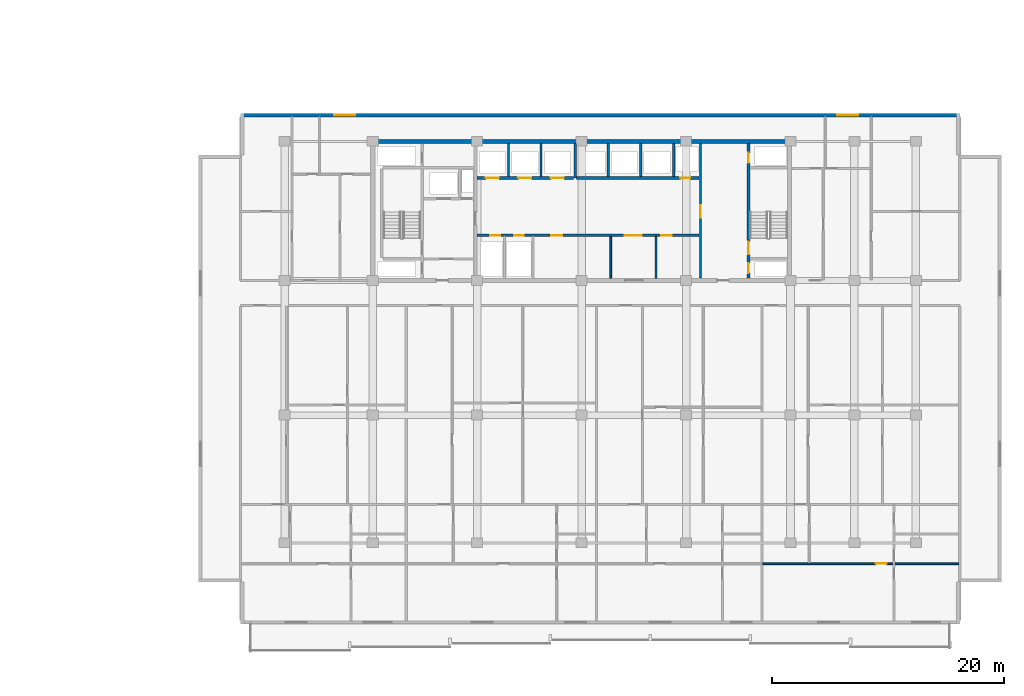
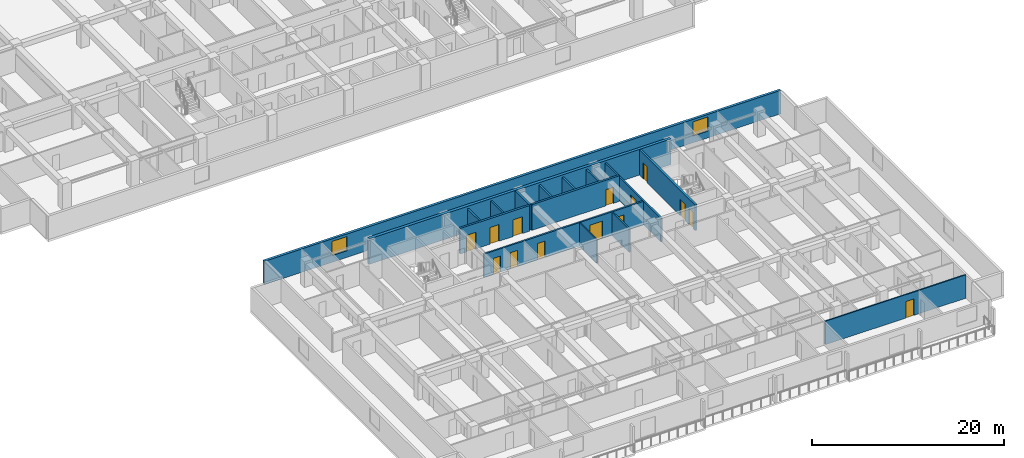
# One storey, part 7 of 23: 16 walls, 14 doors, 2 windows, 16 openings.
"""IFC4 building model written with IfcOpenShell, lengths in metres."""

from ifc_helpers import new_model, si_unit, direction, frame, frame_2d, origin, place, context, subcontext, project, spatial, rectangle, extrude, material, layer, layer_set, type_object, element, fill, save


model = new_model("IFC4")

# Units and contexts
model_context = context("Model", 3, precision=1e-05, world=origin(), true_north=direction((0.0, 1.0)))
body_context = subcontext(model_context, "Body", "Model", "MODEL_VIEW")
ifc_project = project(units=[si_unit("LENGTHUNIT", "METRE"), si_unit("AREAUNIT", "SQUARE_METRE"), si_unit("VOLUMEUNIT", "CUBIC_METRE"), si_unit("PLANEANGLEUNIT", "RADIAN"), si_unit("MASSUNIT", "GRAM", prefix="KILO")], contexts=[model_context])

# Site, building, storey
site_placement = place(None, origin())
site = spatial("IfcSite", under=ifc_project, at=site_placement, CompositionType="ELEMENT")
building_placement = place(site_placement, origin())
building = spatial("IfcBuilding", under=site, at=building_placement, Name="Korimba Cascade Residences", CompositionType="ELEMENT")
storey_placement = place(building_placement, frame((0.0, 0.0, 33.75)))
storey = spatial("IfcBuildingStorey", under=building, at=storey_placement, Name="L08", CompositionType="ELEMENT", Elevation=33.75)

# Wall, openings, windows
ifc_material_1 = material(Name="Precast concrete C40/50", Category="concrete")
ifc_layer_1 = layer(ifc_material_1, 0.300048828125)
ifc_layer_set_1 = layer_set([ifc_layer_1], Name="Precast concrete C40/50")
wall_type_1 = type_object("IfcWallType", Name="EW-STONE-300", PredefinedType="STANDARD", material=ifc_layer_set_1)
wall_1_placement = place(storey_placement, frame((132.699951171875, 32.64990234375, 0.0), z_axis=(0.0, 0.0, 1.0), x_axis=(-1.0, 0.0, 0.0)))
wall_1 = element("IfcWall", 1, at=wall_1_placement, inside=storey, type_object=wall_type_1, Name="L08 T2 Perimeter Stone Wall E06", PredefinedType="STANDARD", context=body_context, shape_type="SweptSolid", body=[
    extrude(rectangle(XDim=62.0, YDim=0.300048828125, at=frame_2d((31.0, 0.0))), origin(), (0.0, 0.0, 1.0), 2.969970703125),
])
opening_1_placement = place(wall_1_placement, frame((52.125, 0.0, 0.85009765625)))
opening_1 = element("IfcOpeningElement", 2, at=opening_1_placement, cuts=wall_1, Name="Opening W-02", PredefinedType="OPENING", context=body_context, shape_type="SweptSolid", body=[
    extrude(rectangle(XDim=1.800048828125, YDim=1.800048828125, at=frame_2d((0.89990234375, 0.89990234375))), frame((0.0, 0.16015625, 0.0), z_axis=(0.0, -1.0, 0.0), x_axis=(1.0, 0.0, 0.0)), (0.0, 0.0, 1.0), 0.320068359375),
])
opening_2_placement = place(wall_1_placement, frame((8.77490234375, 0.0, 0.85009765625)))
opening_2 = element("IfcOpeningElement", 3, at=opening_2_placement, cuts=wall_1, Name="Opening W-02", PredefinedType="OPENING", context=body_context, shape_type="SweptSolid", body=[
    extrude(rectangle(XDim=1.800048828125, YDim=1.800048828125, at=frame_2d((0.89990234375, 0.89990234375))), frame((0.0, 0.16015625, 0.0), z_axis=(0.0, -1.0, 0.0), x_axis=(1.0, 0.0, 0.0)), (0.0, 0.0, 1.0), 0.320068359375),
])
ifc_material_2 = material(Name="Double-Glazed Aluminium Window", Category="aluminium")
window_type = type_object("IfcWindowType", Name="WIN-BED-1800", PartitioningType="SINGLE_PANEL", PredefinedType="WINDOW", material=ifc_material_2)
window_1_placement = place(opening_1_placement, origin())
window_1 = element("IfcWindow", 4, at=window_1_placement, inside=storey, type_object=window_type, Name="L08 T2 North Corner Bedroom Window 1", OverallHeight=1.800048828125, OverallWidth=1.800048828125, PartitioningType="SINGLE_PANEL", PredefinedType="WINDOW", context=body_context, shape_type="SweptSolid", body=[
    extrude(rectangle(XDim=1.800048828125, YDim=1.800048828125, at=frame_2d((0.89990234375, 0.89990234375))), frame((0.0, 0.030029296875, 0.0), z_axis=(0.0, -1.0, 0.0), x_axis=(1.0, 0.0, 0.0)), (0.0, 0.0, 1.0), 0.06005859375),
])
fill(opening_1, window_1)
window_2_placement = place(opening_2_placement, origin())
window_2 = element("IfcWindow", 5, at=window_2_placement, inside=storey, type_object=window_type, Name="L08 T2 North Corner Bedroom Window 2", OverallHeight=1.800048828125, OverallWidth=1.800048828125, PartitioningType="SINGLE_PANEL", PredefinedType="WINDOW", context=body_context, shape_type="SweptSolid", body=[
    extrude(rectangle(XDim=1.800048828125, YDim=1.800048828125, at=frame_2d((0.89990234375, 0.89990234375))), frame((0.0, 0.030029296875, 0.0), z_axis=(0.0, -1.0, 0.0), x_axis=(1.0, 0.0, 0.0)), (0.0, 0.0, 1.0), 0.06005859375),
])
fill(opening_2, window_2)

# Walls
ifc_material_3 = material(Name="Concrete C65/80", Category="concrete")
ifc_layer_2 = layer(ifc_material_3, 0.35009765625)
ifc_layer_set_2 = layer_set([ifc_layer_2], Name="Concrete C65/80")
wall_type_2 = type_object("IfcWallType", Name="WAL-CORE-350", PredefinedType="SHEAR", material=ifc_layer_set_2)
wall_2_placement = place(storey_placement, frame((81.925048828125, 30.39990234375, 0.0), z_axis=(0.0, 0.0, 1.0), x_axis=(1.0, 0.0, 0.0)))
element("IfcWall", 6, at=wall_2_placement, inside=storey, type_object=wall_type_2, Name="L08 Core Shear Wall CW-L08-T2-N", PredefinedType="SHEAR", context=body_context, shape_type="SweptSolid", body=[
    extrude(rectangle(XDim=36.264892578125, YDim=0.35009765625, at=frame_2d((18.13232421875, 0.0))), origin(), (0.0, 0.0, 1.0), 3.25),
])
ifc_material_4 = material(Name="Insulated Acoustic Stud Partition", Category="gypsum")
ifc_layer_3 = layer(ifc_material_4, 0.14990234375)
ifc_layer_set_3 = layer_set([ifc_layer_3], Name="Insulated Acoustic Stud Partition")
wall_type_3 = type_object("IfcWallType", Name="WAL-PART-150", PredefinedType="PARTITIONING", material=ifc_layer_set_3)
for number, where, z_axis, x_axis, name in (
    (7, (102.60009765625, 18.60009765625, 0.0), (0.0, 0.0, 1.0), (0.0, 1.0, 0.0), "L08 Partition Wall CW-L08-T2-THW"),
    (8, (106.5, 18.60009765625, 0.0), (0.0, 0.0, 1.0), (0.0, 1.0, 0.0), "L08 Partition Wall CW-L08-T2-THE"),
):
    element("IfcWall", number, at=place(storey_placement, frame(where, z_axis=z_axis, x_axis=x_axis)), inside=storey, type_object=wall_type_3, Name=name, PredefinedType="PARTITIONING", context=body_context, shape_type="SweptSolid", body=[
        extrude(rectangle(XDim=3.599853515625, YDim=0.14990234375, at=frame_2d((1.7998046875, 0.0))), origin(), (0.0, 0.0, 1.0), 2.969970703125),
    ])

# Wall, opening, door
wall_3_placement = place(storey_placement, frame((115.73095703125, -6.0, 0.0), z_axis=(0.0, 0.0, 1.0), x_axis=(1.0, 0.0, 0.0)))
wall_3 = element("IfcWall", 9, at=wall_3_placement, inside=storey, type_object=wall_type_3, Name="L08 Partition Wall WAL-L08-T2-U04-HZ", PredefinedType="PARTITIONING", context=body_context, shape_type="SweptSolid", body=[
    extrude(rectangle(XDim=16.88916015625, YDim=0.14990234375, at=frame_2d((8.444580078125, 0.0))), origin(), (0.0, 0.0, 1.0), 2.969970703125),
])
opening_3_placement = place(wall_3_placement, frame((9.705078125, 0.0, 0.0)))
opening_3 = element("IfcOpeningElement", 10, at=opening_3_placement, cuts=wall_3, Name="Opening D-IN0", PredefinedType="OPENING", context=body_context, shape_type="SweptSolid", body=[
    extrude(rectangle(XDim=0.93994140625, YDim=2.10009765625, at=frame_2d((0.469970703125, 1.050048828125))), frame((0.0, 0.0849609375, 0.0), z_axis=(0.0, -1.0, 0.0), x_axis=(1.0, 0.0, 0.0)), (0.0, 0.0, 1.0), 0.169921875),
])
ifc_material_5 = material(Name="Acoustic Timber Living Archway Door", Category="wood")
door_type_1 = type_object("IfcDoorType", Name="DR-INT-950", OperationType="NOTDEFINED", PredefinedType="DOOR", material=ifc_material_5)
door_1_placement = place(opening_3_placement, origin())
door_1 = element("IfcDoor", 11, at=door_1_placement, inside=storey, type_object=door_type_1, Name="L08-T2-U04 Living Archway Door", OperationType="SINGLE_SWING_LEFT", OverallHeight=2.10009765625, OverallWidth=0.93994140625, PredefinedType="DOOR", context=body_context, shape_type="SweptSolid", body=[
    extrude(rectangle(XDim=0.93994140625, YDim=2.10009765625, at=frame_2d((0.469970703125, 1.050048828125))), frame((0.0, 0.02490234375, 0.0), z_axis=(0.0, -1.0, 0.0), x_axis=(1.0, 0.0, 0.0)), (0.0, 0.0, 1.0), 0.050048828125),
])
fill(opening_3, door_1)

# Walls
ifc_material_6 = material(Name="Concrete C40/50", Category="concrete")
ifc_layer_4 = layer(ifc_material_6, 0.199951171875)
ifc_layer_set_4 = layer_set([ifc_layer_4], Name="Concrete C40/50")
wall_type_4 = type_object("IfcWallType", Name="WAL-PART-200", PredefinedType="PARTITIONING", material=ifc_layer_set_4)
for number, where, z_axis, x_axis, name in (
    (12, (93.800048828125, 27.3798828125, 0.0), (0.0, 0.0, 1.0), (0.0, 1.0, 0.0), "L08 Partition Wall CW-L08-T2-B1D1"),
    (13, (96.60009765625, 27.3798828125, 0.0), (0.0, 0.0, 1.0), (0.0, 1.0, 0.0), "L08 Partition Wall CW-L08-T2-B1D2"),
    (14, (102.39990234375, 27.3798828125, 0.0), (0.0, 0.0, 1.0), (0.0, 1.0, 0.0), "L08 Partition Wall CW-L08-T2-B2D1"),
    (15, (105.199951171875, 27.3798828125, 0.0), (0.0, 0.0, 1.0), (0.0, 1.0, 0.0), "L08 Partition Wall CW-L08-T2-B2D2"),
    (16, (108.050048828125, 27.3798828125, 0.0), (0.0, 0.0, 1.0), (0.0, 1.0, 0.0), "L08 Partition Wall CW-L08-T2-B2D3"),
):
    element("IfcWall", number, at=place(storey_placement, frame(where, z_axis=z_axis, x_axis=x_axis)), inside=storey, type_object=wall_type_4, Name=name, PredefinedType="PARTITIONING", context=body_context, shape_type="SweptSolid", body=[
        extrude(rectangle(XDim=2.820068359375, YDim=0.199951171875, at=frame_2d((1.41015625, 0.0))), origin(), (0.0, 0.0, 1.0), 2.969970703125),
    ])

# Wall, openings, doors
wall_4_placement = place(storey_placement, frame((91.080078125, 22.300048828125, 0.0), z_axis=(0.0, 0.0, 1.0), x_axis=(1.0, 0.0, 0.0)))
wall_4 = element("IfcWall", 17, at=wall_4_placement, inside=storey, type_object=wall_type_4, Name="L08 Partition Wall CW-L08-T2-SRVROW", PredefinedType="PARTITIONING", context=body_context, shape_type="SweptSolid", body=[
    extrude(rectangle(XDim=19.139892578125, YDim=0.199951171875, at=frame_2d((9.56982421875, 0.0))), origin(), (0.0, 0.0, 1.0), 2.969970703125),
])
opening_4_placement = place(wall_4_placement, frame((1.14990234375, 0.0, 0.0)))
opening_4 = element("IfcOpeningElement", 18, at=opening_4_placement, cuts=wall_4, Name="Opening D-RS1", PredefinedType="OPENING", context=body_context, shape_type="SweptSolid", body=[
    extrude(rectangle(XDim=0.85009765625, YDim=2.050048828125, at=frame_2d((0.425048828125, 1.02490234375))), frame((0.0, 0.10986328125, 0.0), z_axis=(0.0, -1.0, 0.0), x_axis=(1.0, 0.0, 0.0)), (0.0, 0.0, 1.0), 0.219970703125),
])
opening_5_placement = place(wall_4_placement, frame((3.199951171875, 0.0, 0.0)))
opening_5 = element("IfcOpeningElement", 19, at=opening_5_placement, cuts=wall_4, Name="Opening D-RS1", PredefinedType="OPENING", context=body_context, shape_type="SweptSolid", body=[
    extrude(rectangle(XDim=0.85009765625, YDim=2.050048828125, at=frame_2d((0.425048828125, 1.02490234375))), frame((0.0, 0.10986328125, 0.0), z_axis=(0.0, -1.0, 0.0), x_axis=(1.0, 0.0, 0.0)), (0.0, 0.0, 1.0), 0.219970703125),
])
opening_6_placement = place(wall_4_placement, frame((12.719970703125, 0.0, 0.0)))
opening_6 = element("IfcOpeningElement", 20, at=opening_6_placement, cuts=wall_4, Name="Opening D-FD8", PredefinedType="OPENING", context=body_context, shape_type="SweptSolid", body=[
    extrude(rectangle(XDim=1.5, YDim=2.199951171875, at=frame_2d((0.75, 1.10009765625))), frame((0.0, 0.10986328125, 0.0), z_axis=(0.0, -1.0, 0.0), x_axis=(1.0, 0.0, 0.0)), (0.0, 0.0, 1.0), 0.219970703125),
])
opening_7_placement = place(wall_4_placement, frame((6.419921875, 0.0, 0.0)))
opening_7 = element("IfcOpeningElement", 21, at=opening_7_placement, cuts=wall_4, Name="Opening D-IN1", PredefinedType="OPENING", context=body_context, shape_type="SweptSolid", body=[
    extrude(rectangle(XDim=0.919921875, YDim=2.080078125, at=frame_2d((0.4599609375, 1.0400390625))), frame((0.0, 0.10986328125, 0.0), z_axis=(0.0, -1.0, 0.0), x_axis=(1.0, 0.0, 0.0)), (0.0, 0.0, 1.0), 0.219970703125),
])
opening_8_placement = place(wall_4_placement, frame((15.8701171875, 0.0, 0.0)))
opening_8 = element("IfcOpeningElement", 22, at=opening_8_placement, cuts=wall_4, Name="Opening D-IN1", PredefinedType="OPENING", context=body_context, shape_type="SweptSolid", body=[
    extrude(rectangle(XDim=0.919921875, YDim=2.080078125, at=frame_2d((0.4599609375, 1.0400390625))), frame((0.0, 0.10986328125, 0.0), z_axis=(0.0, -1.0, 0.0), x_axis=(1.0, 0.0, 0.0)), (0.0, 0.0, 1.0), 0.219970703125),
])
ifc_material_7 = material(Name="Fire-Rated Steel Riser Access Door", Category="steel")
door_type_2 = type_object("IfcDoorType", Name="DR-FD60-850", OperationType="NOTDEFINED", PredefinedType="DOOR", material=ifc_material_7)
door_2_placement = place(opening_4_placement, origin())
door_2 = element("IfcDoor", 23, at=door_2_placement, inside=storey, type_object=door_type_2, Name="L08 T2 Electrical Riser Door", OperationType="SINGLE_SWING_RIGHT", OverallHeight=2.050048828125, OverallWidth=0.85009765625, PredefinedType="DOOR", context=body_context, shape_type="SweptSolid", body=[
    extrude(rectangle(XDim=0.85009765625, YDim=2.050048828125, at=frame_2d((0.425048828125, 1.02490234375))), frame((0.0, 0.02490234375, 0.0), z_axis=(0.0, -1.0, 0.0), x_axis=(1.0, 0.0, 0.0)), (0.0, 0.0, 1.0), 0.050048828125),
])
fill(opening_4, door_2)
door_3_placement = place(opening_5_placement, origin())
door_3 = element("IfcDoor", 24, at=door_3_placement, inside=storey, type_object=door_type_2, Name="L08 T2 Plumbing Riser Door", OperationType="SINGLE_SWING_LEFT", OverallHeight=2.050048828125, OverallWidth=0.85009765625, PredefinedType="DOOR", context=body_context, shape_type="SweptSolid", body=[
    extrude(rectangle(XDim=0.85009765625, YDim=2.050048828125, at=frame_2d((0.425048828125, 1.02490234375))), frame((0.0, 0.02490234375, 0.0), z_axis=(0.0, -1.0, 0.0), x_axis=(1.0, 0.0, 0.0)), (0.0, 0.0, 1.0), 0.050048828125),
])
fill(opening_5, door_3)
ifc_material_8 = material(Name="Fire-Rated Glazed Lift Lobby Double Door", Category="glass")
door_type_3 = type_object("IfcDoorType", Name="DR-FD90-1500", OperationType="NOTDEFINED", PredefinedType="DOOR", material=ifc_material_8)
door_4_placement = place(opening_6_placement, origin())
door_4 = element("IfcDoor", 25, at=door_4_placement, inside=storey, type_object=door_type_3, Name="L08 T2 Lift Lobby Foyer Door", OperationType="DOUBLE_DOOR_SINGLE_SWING", OverallHeight=2.199951171875, OverallWidth=1.5, PredefinedType="DOOR", context=body_context, shape_type="SweptSolid", body=[
    extrude(rectangle(XDim=1.5, YDim=2.199951171875, at=frame_2d((0.75, 1.10009765625))), frame((0.0, 0.02490234375, 0.0), z_axis=(0.0, -1.0, 0.0), x_axis=(1.0, 0.0, 0.0)), (0.0, 0.0, 1.0), 0.050048828125),
])
fill(opening_6, door_4)
ifc_material_9 = material(Name="Acoustic Timber Living Door", Category="wood")
door_type_4 = type_object("IfcDoorType", Name="DR-INT-920", OperationType="NOTDEFINED", PredefinedType="DOOR", material=ifc_material_9)
door_5_placement = place(opening_7_placement, origin())
door_5 = element("IfcDoor", 26, at=door_5_placement, inside=storey, type_object=door_type_4, Name="L08 T2 Housekeeping Door", OperationType="SINGLE_SWING_RIGHT", OverallHeight=2.080078125, OverallWidth=0.919921875, PredefinedType="DOOR", context=body_context, shape_type="SweptSolid", body=[
    extrude(rectangle(XDim=0.919921875, YDim=2.080078125, at=frame_2d((0.4599609375, 1.0400390625))), frame((0.0, 0.02490234375, 0.0), z_axis=(0.0, -1.0, 0.0), x_axis=(1.0, 0.0, 0.0)), (0.0, 0.0, 1.0), 0.050048828125),
])
fill(opening_7, door_5)
door_6_placement = place(opening_8_placement, origin())
door_6 = element("IfcDoor", 27, at=door_6_placement, inside=storey, type_object=door_type_4, Name="L08 T2 Store Door", OperationType="SINGLE_SWING_LEFT", OverallHeight=2.080078125, OverallWidth=0.919921875, PredefinedType="DOOR", context=body_context, shape_type="SweptSolid", body=[
    extrude(rectangle(XDim=0.919921875, YDim=2.080078125, at=frame_2d((0.4599609375, 1.0400390625))), frame((0.0, 0.02490234375, 0.0), z_axis=(0.0, -1.0, 0.0), x_axis=(1.0, 0.0, 0.0)), (0.0, 0.0, 1.0), 0.050048828125),
])
fill(opening_8, door_6)

# Wall, opening, door
wall_5_placement = place(storey_placement, frame((110.35009765625, 18.60009765625, 0.0), z_axis=(0.0, 0.0, 1.0), x_axis=(0.0, 1.0, 0.0)))
wall_5 = element("IfcWall", 28, at=wall_5_placement, inside=storey, type_object=wall_type_4, Name="L08 Partition Wall CW-L08-T2-LLEV", PredefinedType="PARTITIONING", context=body_context, shape_type="SweptSolid", body=[
    extrude(rectangle(XDim=11.599853515625, YDim=0.199951171875, at=frame_2d((5.7998046875, 0.0))), origin(), (0.0, 0.0, 1.0), 2.969970703125),
])
opening_9_placement = place(wall_5_placement, frame((5.199951171875, 0.0, 0.0)))
opening_9 = element("IfcOpeningElement", 29, at=opening_9_placement, cuts=wall_5, Name="Opening D-FD6", PredefinedType="OPENING", context=body_context, shape_type="SweptSolid", body=[
    extrude(rectangle(XDim=1.10009765625, YDim=2.14990234375, at=frame_2d((0.550048828125, 1.074951171875))), frame((0.0, 0.10986328125, 0.0), z_axis=(0.0, -1.0, 0.0), x_axis=(1.0, 0.0, 0.0)), (0.0, 0.0, 1.0), 0.219970703125),
])
ifc_material_10 = material(Name="Fire-Rated Timber Stair Lobby Door", Category="wood")
door_type_5 = type_object("IfcDoorType", Name="DR-FD90-1100", OperationType="NOTDEFINED", PredefinedType="DOOR", material=ifc_material_10)
door_7_placement = place(opening_9_placement, origin())
door_7 = element("IfcDoor", 30, at=door_7_placement, inside=storey, type_object=door_type_5, Name="L08 T2 Lift Lobby to East Stair Lobby Door", OperationType="SINGLE_SWING_RIGHT", OverallHeight=2.14990234375, OverallWidth=1.10009765625, PredefinedType="DOOR", context=body_context, shape_type="SweptSolid", body=[
    extrude(rectangle(XDim=1.10009765625, YDim=2.14990234375, at=frame_2d((0.550048828125, 1.074951171875))), frame((0.0, 0.02490234375, 0.0), z_axis=(0.0, -1.0, 0.0), x_axis=(1.0, 0.0, 0.0)), (0.0, 0.0, 1.0), 0.050048828125),
])
fill(opening_9, door_7)

# Wall, openings, doors
ifc_material_11 = material(Name="Concrete C50/60", Category="concrete")
ifc_layer_5 = layer(ifc_material_11, 0.25)
ifc_layer_set_5 = layer_set([ifc_layer_5], Name="Concrete C50/60")
wall_type_5 = type_object("IfcWallType", Name="WAL-SHAFT-250", PredefinedType="SHEAR", material=ifc_layer_set_5)
wall_6_placement = place(storey_placement, frame((91.080078125, 27.25, 0.0), z_axis=(0.0, 0.0, 1.0), x_axis=(1.0, 0.0, 0.0)))
wall_6 = element("IfcWall", 31, at=wall_6_placement, inside=storey, type_object=wall_type_5, Name="L08 Core Shear Wall CW-L08-T2-B1S", PredefinedType="SHEAR", context=body_context, shape_type="SweptSolid", body=[
    extrude(rectangle(XDim=8.33984375, YDim=0.25, at=frame_2d((4.169921875, 0.0))), origin(), (0.0, 0.0, 1.0), 3.25),
])
opening_10_placement = place(wall_6_placement, frame((0.760009765625, 0.0, 0.0)))
opening_10 = element("IfcOpeningElement", 32, at=opening_10_placement, cuts=wall_6, Name="Opening LD-01", PredefinedType="OPENING", context=body_context, shape_type="SweptSolid", body=[
    extrude(rectangle(XDim=1.1201171875, YDim=2.1201171875, at=frame_2d((0.56005859375, 1.06005859375))), frame((0.0, 0.135009765625, 0.0), z_axis=(0.0, -1.0, 0.0), x_axis=(1.0, 0.0, 0.0)), (0.0, 0.0, 1.0), 0.27001953125),
])
opening_11_placement = place(wall_6_placement, frame((3.56005859375, 0.0, 0.0)))
opening_11 = element("IfcOpeningElement", 33, at=opening_11_placement, cuts=wall_6, Name="Opening LD-01", PredefinedType="OPENING", context=body_context, shape_type="SweptSolid", body=[
    extrude(rectangle(XDim=1.1201171875, YDim=2.1201171875, at=frame_2d((0.56005859375, 1.06005859375))), frame((0.0, 0.135009765625, 0.0), z_axis=(0.0, -1.0, 0.0), x_axis=(1.0, 0.0, 0.0)), (0.0, 0.0, 1.0), 0.27001953125),
])
opening_12_placement = place(wall_6_placement, frame((6.360107421875, 0.0, 0.0)))
opening_12 = element("IfcOpeningElement", 34, at=opening_12_placement, cuts=wall_6, Name="Opening LD-01", PredefinedType="OPENING", context=body_context, shape_type="SweptSolid", body=[
    extrude(rectangle(XDim=1.1201171875, YDim=2.1201171875, at=frame_2d((0.56005859375, 1.06005859375))), frame((0.0, 0.135009765625, 0.0), z_axis=(0.0, -1.0, 0.0), x_axis=(1.0, 0.0, 0.0)), (0.0, 0.0, 1.0), 0.27001953125),
])
ifc_material_12 = material(Name="Stainless Steel Lift Landing Sliding Door", Category="steel")
door_type_6 = type_object("IfcDoorType", Name="DR-LIFT-1100", OperationType="NOTDEFINED", PredefinedType="DOOR", material=ifc_material_12)
door_8_placement = place(opening_10_placement, origin())
door_8 = element("IfcDoor", 35, at=door_8_placement, inside=storey, type_object=door_type_6, Name="L08 Lift Landing Door PL-E1", OperationType="SLIDING_TO_LEFT", OverallHeight=2.1201171875, OverallWidth=1.1201171875, PredefinedType="DOOR", context=body_context, shape_type="SweptSolid", body=[
    extrude(rectangle(XDim=1.1201171875, YDim=2.1201171875, at=frame_2d((0.56005859375, 1.06005859375))), frame((0.0, 0.02490234375, 0.0), z_axis=(0.0, -1.0, 0.0), x_axis=(1.0, 0.0, 0.0)), (0.0, 0.0, 1.0), 0.050048828125),
])
fill(opening_10, door_8)
door_9_placement = place(opening_11_placement, origin())
door_9 = element("IfcDoor", 36, at=door_9_placement, inside=storey, type_object=door_type_6, Name="L08 Lift Landing Door PL-E2", OperationType="SLIDING_TO_LEFT", OverallHeight=2.1201171875, OverallWidth=1.1201171875, PredefinedType="DOOR", context=body_context, shape_type="SweptSolid", body=[
    extrude(rectangle(XDim=1.1201171875, YDim=2.1201171875, at=frame_2d((0.56005859375, 1.06005859375))), frame((0.0, 0.02490234375, 0.0), z_axis=(0.0, -1.0, 0.0), x_axis=(1.0, 0.0, 0.0)), (0.0, 0.0, 1.0), 0.050048828125),
])
fill(opening_11, door_9)
door_10_placement = place(opening_12_placement, origin())
door_10 = element("IfcDoor", 37, at=door_10_placement, inside=storey, type_object=door_type_6, Name="L08 Lift Landing Door PL-E3", OperationType="SLIDING_TO_LEFT", OverallHeight=2.1201171875, OverallWidth=1.1201171875, PredefinedType="DOOR", context=body_context, shape_type="SweptSolid", body=[
    extrude(rectangle(XDim=1.1201171875, YDim=2.1201171875, at=frame_2d((0.56005859375, 1.06005859375))), frame((0.0, 0.02490234375, 0.0), z_axis=(0.0, -1.0, 0.0), x_axis=(1.0, 0.0, 0.0)), (0.0, 0.0, 1.0), 0.050048828125),
])
fill(opening_12, door_10)

# Wall
wall_7_placement = place(storey_placement, frame((99.550048828125, 27.25, 0.0), z_axis=(0.0, 0.0, 1.0), x_axis=(0.0, 1.0, 0.0)))
element("IfcWall", 38, at=wall_7_placement, inside=storey, type_object=wall_type_5, Name="L08 Core Shear Wall CW-L08-T2-B12DIV", PredefinedType="SHEAR", context=body_context, shape_type="SweptSolid", body=[
    extrude(rectangle(XDim=2.949951171875, YDim=0.25, at=frame_2d((1.47509765625, 0.0))), origin(), (0.0, 0.0, 1.0), 3.25),
])

# Wall, opening, door
wall_8_placement = place(storey_placement, frame((99.679931640625, 27.25, 0.0), z_axis=(0.0, 0.0, 1.0), x_axis=(1.0, 0.0, 0.0)))
wall_8 = element("IfcWall", 39, at=wall_8_placement, inside=storey, type_object=wall_type_5, Name="L08 Core Shear Wall CW-L08-T2-B2S", PredefinedType="SHEAR", context=body_context, shape_type="SweptSolid", body=[
    extrude(rectangle(XDim=10.5400390625, YDim=0.25, at=frame_2d((5.27001953125, 0.0))), origin(), (0.0, 0.0, 1.0), 3.25),
])
opening_13_placement = place(wall_8_placement, frame((8.919921875, 0.0, 0.0)))
opening_13 = element("IfcOpeningElement", 40, at=opening_13_placement, cuts=wall_8, Name="Opening D-RS1", PredefinedType="OPENING", context=body_context, shape_type="SweptSolid", body=[
    extrude(rectangle(XDim=0.85009765625, YDim=2.050048828125, at=frame_2d((0.425048828125, 1.02490234375))), frame((0.0, 0.135009765625, 0.0), z_axis=(0.0, -1.0, 0.0), x_axis=(1.0, 0.0, 0.0)), (0.0, 0.0, 1.0), 0.27001953125),
])
door_11_placement = place(opening_13_placement, origin())
door_11 = element("IfcDoor", 41, at=door_11_placement, inside=storey, type_object=door_type_2, Name="L08 T2 Duct Door", OperationType="SINGLE_SWING_LEFT", OverallHeight=2.050048828125, OverallWidth=0.85009765625, PredefinedType="DOOR", context=body_context, shape_type="SweptSolid", body=[
    extrude(rectangle(XDim=0.85009765625, YDim=2.050048828125, at=frame_2d((0.425048828125, 1.02490234375))), frame((0.0, 0.02490234375, 0.0), z_axis=(0.0, -1.0, 0.0), x_axis=(1.0, 0.0, 0.0)), (0.0, 0.0, 1.0), 0.050048828125),
])
fill(opening_13, door_11)

# Wall, openings, doors
wall_9_placement = place(storey_placement, frame((114.47509765625, 18.60009765625, 0.0), z_axis=(0.0, 0.0, 1.0), x_axis=(0.0, 1.0, 0.0)))
wall_9 = element("IfcWall", 42, at=wall_9_placement, inside=storey, type_object=wall_type_5, Name="L08 Core Shear Wall CW-L08-T2-STE2W", PredefinedType="SHEAR", context=body_context, shape_type="SweptSolid", body=[
    extrude(rectangle(XDim=11.599853515625, YDim=0.25, at=frame_2d((5.7998046875, 0.0))), origin(), (0.0, 0.0, 1.0), 3.25),
])
opening_14_placement = place(wall_9_placement, frame((0.449951171875, 0.0, 0.0)))
opening_14 = element("IfcOpeningElement", 43, at=opening_14_placement, cuts=wall_9, Name="Opening D-RS1", PredefinedType="OPENING", context=body_context, shape_type="SweptSolid", body=[
    extrude(rectangle(XDim=0.85009765625, YDim=2.050048828125, at=frame_2d((0.425048828125, 1.02490234375))), frame((0.0, 0.135009765625, 0.0), z_axis=(0.0, -1.0, 0.0), x_axis=(1.0, 0.0, 0.0)), (0.0, 0.0, 1.0), 0.27001953125),
])
opening_15_placement = place(wall_9_placement, frame((2.050048828125, 0.0, 0.0)))
opening_15 = element("IfcOpeningElement", 44, at=opening_15_placement, cuts=wall_9, Name="Opening D-FD1", PredefinedType="OPENING", context=body_context, shape_type="SweptSolid", body=[
    extrude(rectangle(XDim=1.10009765625, YDim=2.10009765625, at=frame_2d((0.550048828125, 1.050048828125))), frame((0.0, 0.135009765625, 0.0), z_axis=(0.0, -1.0, 0.0), x_axis=(1.0, 0.0, 0.0)), (0.0, 0.0, 1.0), 0.27001953125),
])
opening_16_placement = place(wall_9_placement, frame((9.949951171875, 0.0, 0.0)))
opening_16 = element("IfcOpeningElement", 45, at=opening_16_placement, cuts=wall_9, Name="Opening D-RS1", PredefinedType="OPENING", context=body_context, shape_type="SweptSolid", body=[
    extrude(rectangle(XDim=0.85009765625, YDim=2.050048828125, at=frame_2d((0.425048828125, 1.02490234375))), frame((0.0, 0.135009765625, 0.0), z_axis=(0.0, -1.0, 0.0), x_axis=(1.0, 0.0, 0.0)), (0.0, 0.0, 1.0), 0.27001953125),
])
ifc_material_13 = material(Name="Fire-Rated Steel Core Door", Category="steel")
door_type_7 = type_object("IfcDoorType", Name="DR-FD120-1100", OperationType="NOTDEFINED", PredefinedType="DOOR", material=ifc_material_13)
door_12_placement = place(opening_15_placement, origin())
door_12 = element("IfcDoor", 46, at=door_12_placement, inside=storey, type_object=door_type_7, Name="L08 Fire Stair ST-E2 Door", OperationType="SINGLE_SWING_RIGHT", OverallHeight=2.10009765625, OverallWidth=1.10009765625, PredefinedType="DOOR", context=body_context, shape_type="SweptSolid", body=[
    extrude(rectangle(XDim=1.10009765625, YDim=2.10009765625, at=frame_2d((0.550048828125, 1.050048828125))), frame((0.0, 0.02490234375, 0.0), z_axis=(0.0, -1.0, 0.0), x_axis=(1.0, 0.0, 0.0)), (0.0, 0.0, 1.0), 0.050048828125),
])
fill(opening_15, door_12)
door_13_placement = place(opening_14_placement, origin())
door_13 = element("IfcDoor", 47, at=door_13_placement, inside=storey, type_object=door_type_2, Name="L08 T2 East Hydrant Door", OperationType="SINGLE_SWING_LEFT", OverallHeight=2.050048828125, OverallWidth=0.85009765625, PredefinedType="DOOR", context=body_context, shape_type="SweptSolid", body=[
    extrude(rectangle(XDim=0.85009765625, YDim=2.050048828125, at=frame_2d((0.425048828125, 1.02490234375))), frame((0.0, 0.02490234375, 0.0), z_axis=(0.0, -1.0, 0.0), x_axis=(1.0, 0.0, 0.0)), (0.0, 0.0, 1.0), 0.050048828125),
])
fill(opening_14, door_13)
door_14_placement = place(opening_16_placement, origin())
door_14 = element("IfcDoor", 48, at=door_14_placement, inside=storey, type_object=door_type_2, Name="L08 T2 East Riser Door", OperationType="SINGLE_SWING_LEFT", OverallHeight=2.050048828125, OverallWidth=0.85009765625, PredefinedType="DOOR", context=body_context, shape_type="SweptSolid", body=[
    extrude(rectangle(XDim=0.85009765625, YDim=2.050048828125, at=frame_2d((0.425048828125, 1.02490234375))), frame((0.0, 0.02490234375, 0.0), z_axis=(0.0, -1.0, 0.0), x_axis=(1.0, 0.0, 0.0)), (0.0, 0.0, 1.0), 0.050048828125),
])
fill(opening_16, door_14)

save(model, "model.ifc")
